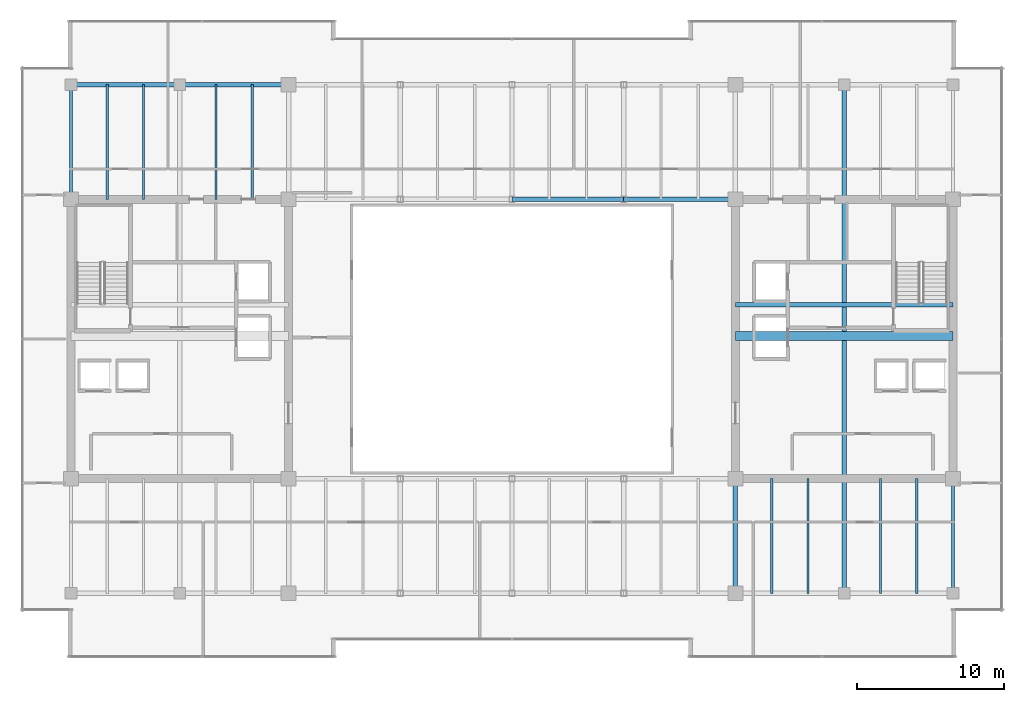
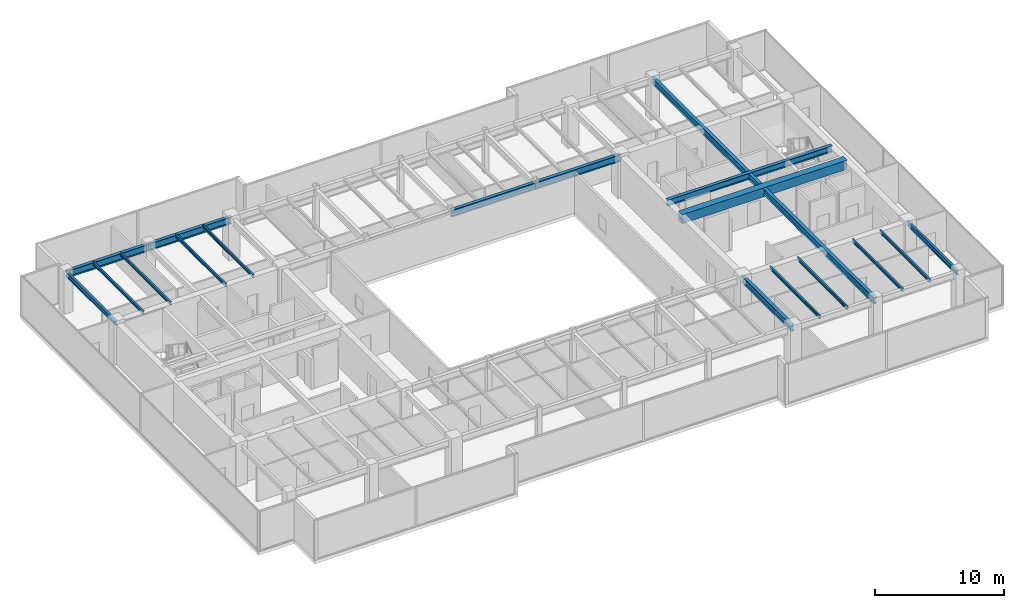
# One storey, part 14 of 33: 18 beams.
"""IFC4 building model written with IfcOpenShell, lengths in metres."""

from ifc_helpers import new_model, si_unit, direction, frame, origin, origin_2d, place, context, subcontext, project, spatial, rectangle, i_section, extrude, source, transform, mapped, material, material_profile, profile_set, type_object, type_shapes, element, save


model = new_model("IFC4")

# Units and contexts
model_context = context("Model", 3, precision=1e-05, world=origin(), true_north=direction((0.0, 1.0)))
body_context = subcontext(model_context, "Body", "Model", "MODEL_VIEW")
ifc_project = project(units=[si_unit("LENGTHUNIT", "METRE"), si_unit("AREAUNIT", "SQUARE_METRE"), si_unit("VOLUMEUNIT", "CUBIC_METRE"), si_unit("PLANEANGLEUNIT", "RADIAN"), si_unit("MASSUNIT", "GRAM", prefix="KILO")], contexts=[model_context])

# Site, building, storey
site_placement = place(None, origin())
site = spatial("IfcSite", under=ifc_project, at=site_placement, CompositionType="ELEMENT")
building_placement = place(site_placement, origin())
building = spatial("IfcBuilding", under=site, at=building_placement, Name="Haelvirn Gate Laboratories", CompositionType="ELEMENT")
storey_placement = place(building_placement, frame((0.0, 0.0, 213.699951171875)))
storey = spatial("IfcBuildingStorey", under=building, at=storey_placement, Name="L51", CompositionType="ELEMENT", Elevation=213.699951171875)

# Beams
ifc_material_1 = material(Name="Steel SM355", Category="steel")
ifc_material_profile_1 = material_profile(ifc_material_1, i_section(OverallWidth=0.300048828125, OverallDepth=0.587890625, WebThickness=0.011962890625, FlangeThickness=0.02001953125, at=origin_2d()), Name="H-588x300x12x20")
ifc_profile_set_1 = profile_set([ifc_material_profile_1], Name="Steel SM355")
beam_type_1 = type_object("IfcBeamType", Name="BM-G-588", PredefinedType="BEAM", material=ifc_profile_set_1)
shared_shape_1 = source(origin(), body_context, "Body", "SweptSolid", [
    extrude(i_section(OverallWidth=0.300048828125, OverallDepth=0.587890625, WebThickness=0.011962890625, FlangeThickness=0.02001953125, at=origin_2d()), origin(), (0.0, 0.0, 1.0), 14.7998046875),
])
beam_1_placement = place(storey_placement, frame((52.60009765625, 26.6201171875, 3.506103515625), z_axis=(1.0, 0.0, 0.0), x_axis=(0.0, 1.0, 0.0)))
element("IfcBeam", 1, at=beam_1_placement, inside=storey, type_object=beam_type_1, Name="L51 Stair ST2 Landing Header", PredefinedType="BEAM", context=body_context, shape_type="MappedRepresentation", body=[
    mapped(shared_shape_1, transform((0.0, 0.0, 0.0), scale=1.0)),
])
ifc_material_profile_2 = material_profile(ifc_material_1, i_section(OverallWidth=0.14990234375, OverallDepth=0.300048828125, WebThickness=0.006591796875, FlangeThickness=0.009033203125, at=origin_2d()), Name="H-300x150x6.5x9")
ifc_profile_set_2 = profile_set([ifc_material_profile_2], Name="Steel SM355")
beam_type_2 = type_object("IfcBeamType", Name="BM-J-300", PredefinedType="JOIST", material=ifc_profile_set_2)
shared_shape_2 = source(origin(), body_context, "Body", "SweptSolid", [
    extrude(i_section(OverallWidth=0.14990234375, OverallDepth=0.300048828125, WebThickness=0.006591796875, FlangeThickness=0.009033203125, at=origin_2d()), origin(), (0.0, 0.0, 1.0), 7.800048828125),
])
type_shapes(beam_type_2, [shared_shape_2])
for number, where, z_axis, x_axis, name in (
    (2, (9.8701171875, 33.800048828125, 3.650146484375), (0.0, 1.0, 0.0), (-1.0, 0.0, 0.0), "L51 Composite Lab Joist North X9.87"),
    (3, (12.330078125, 33.800048828125, 3.650146484375), (0.0, 1.0, 0.0), (-1.0, 0.0, 0.0), "L51 Composite Lab Joist North X12.33"),
    (4, (17.27001953125, 33.800048828125, 3.650146484375), (0.0, 1.0, 0.0), (-1.0, 0.0, 0.0), "L51 Composite Lab Joist North X17.27"),
    (5, (19.72998046875, 33.800048828125, 3.650146484375), (0.0, 1.0, 0.0), (-1.0, 0.0, 0.0), "L51 Composite Lab Joist North X19.73"),
    (6, (55.070068359375, 7.0, 3.650146484375), (0.0, 1.0, 0.0), (-1.0, 0.0, 0.0), "L51 Composite Lab Joist South X55.07"),
    (7, (57.530029296875, 7.0, 3.650146484375), (0.0, 1.0, 0.0), (-1.0, 0.0, 0.0), "L51 Composite Lab Joist South X57.53"),
    (8, (62.469970703125, 7.0, 3.650146484375), (0.0, 1.0, 0.0), (-1.0, 0.0, 0.0), "L51 Composite Lab Joist South X62.47"),
    (9, (64.929931640625, 7.0, 3.650146484375), (0.0, 1.0, 0.0), (-1.0, 0.0, 0.0), "L51 Composite Lab Joist South X64.93"),
):
    element("IfcBeam", number, at=place(storey_placement, frame(where, z_axis=z_axis, x_axis=x_axis)), inside=storey, type_object=beam_type_2, Name=name, PredefinedType="JOIST", context=body_context, shape_type="MappedRepresentation", body=[
        mapped(shared_shape_2, transform((0.0, 0.0, 0.0), scale=1.0)),
    ])
shared_shape_3 = source(origin(), body_context, "Body", "SweptSolid", [
    extrude(i_section(OverallWidth=0.300048828125, OverallDepth=0.587890625, WebThickness=0.011962890625, FlangeThickness=0.02001953125, at=origin_2d()), origin(), (0.0, 0.0, 1.0), 34.60009765625),
])
beam_2_placement = place(storey_placement, frame((60.0, 7.0, 3.506103515625), z_axis=(0.0, 1.0, 0.0), x_axis=(-1.0, 0.0, 0.0)))
element("IfcBeam", 10, at=beam_2_placement, inside=storey, type_object=beam_type_1, Name="L51 Frame Girder X60.0 (7.0-41.6)", PredefinedType="BEAM", context=body_context, shape_type="MappedRepresentation", body=[
    mapped(shared_shape_3, transform((0.0, 0.0, 0.0), scale=1.0)),
])
shared_shape_4 = source(origin(), body_context, "Body", "SweptSolid", [
    extrude(i_section(OverallWidth=0.300048828125, OverallDepth=0.587890625, WebThickness=0.011962890625, FlangeThickness=0.02001953125, at=origin_2d()), origin(), (0.0, 0.0, 1.0), 7.800048828125),
])
type_shapes(beam_type_1, [shared_shape_1, shared_shape_3, shared_shape_4])
beam_3_placement = place(storey_placement, frame((52.60009765625, 7.0, 3.506103515625), z_axis=(0.0, 1.0, 0.0), x_axis=(-1.0, 0.0, 0.0)))
element("IfcBeam", 11, at=beam_3_placement, inside=storey, type_object=beam_type_1, Name="L51 Frame Girder X52.6 (7.0-14.8)", PredefinedType="BEAM", context=body_context, shape_type="MappedRepresentation", body=[
    mapped(shared_shape_4, transform((0.0, 0.0, 0.0), scale=1.0)),
])
ifc_material_2 = material(Name="Concrete C50/60", Category="concrete")
ifc_material_profile_3 = material_profile(ifc_material_2, rectangle(XDim=0.60009765625, YDim=0.85009765625, at=origin_2d()), Name="RCB-600x850")
ifc_profile_set_3 = profile_set([ifc_material_profile_3], Name="Concrete C50/60")
beam_type_3 = type_object("IfcBeamType", Name="BM-RCB-850", PredefinedType="LINTEL", material=ifc_profile_set_3)
shared_shape_5 = source(origin(), body_context, "Body", "SweptSolid", [
    extrude(rectangle(XDim=0.60009765625, YDim=0.85009765625, at=origin_2d()), origin(), (0.0, 0.0, 1.0), 14.7998046875),
])
type_shapes(beam_type_3, [shared_shape_5])
beam_4_placement = place(storey_placement, frame((52.60009765625, 24.5, 3.375), z_axis=(1.0, 0.0, 0.0), x_axis=(0.0, 1.0, 0.0)))
element("IfcBeam", 12, at=beam_4_placement, inside=storey, type_object=beam_type_3, Name="L51 East Core Coupling Beam", PredefinedType="LINTEL", context=body_context, shape_type="MappedRepresentation", body=[
    mapped(shared_shape_5, transform((0.0, 0.0, 0.0), scale=1.0)),
])
ifc_material_profile_4 = material_profile(ifc_material_1, i_section(OverallWidth=0.300048828125, OverallDepth=0.64990234375, WebThickness=0.012939453125, FlangeThickness=0.02197265625, at=origin_2d()), Name="H-650x300x13x22")
ifc_profile_set_4 = profile_set([ifc_material_profile_4], Name="Steel SM355")
beam_type_4 = type_object("IfcBeamType", Name="BM-G-650", PredefinedType="BEAM", material=ifc_profile_set_4)
shared_shape_6 = source(origin(), body_context, "Body", "SweptSolid", [
    extrude(i_section(OverallWidth=0.300048828125, OverallDepth=0.64990234375, WebThickness=0.012939453125, FlangeThickness=0.02197265625, at=origin_2d()), origin(), (0.0, 0.0, 1.0), 7.400146484375),
])
beam_5_placement = place(storey_placement, frame((7.39990234375, 41.60009765625, 3.47509765625), z_axis=(1.0, 0.0, 0.0), x_axis=(0.0, 1.0, 0.0)))
element("IfcBeam", 13, at=beam_5_placement, inside=storey, type_object=beam_type_4, Name="L51 Primary Girder Y41.6 (7.4-14.8)", PredefinedType="BEAM", context=body_context, shape_type="MappedRepresentation", body=[
    mapped(shared_shape_6, transform((0.0, 0.0, 0.0), scale=1.0)),
])
shared_shape_7 = source(origin(), body_context, "Body", "SweptSolid", [
    extrude(i_section(OverallWidth=0.300048828125, OverallDepth=0.64990234375, WebThickness=0.012939453125, FlangeThickness=0.02197265625, at=origin_2d()), origin(), (0.0, 0.0, 1.0), 7.39990234375),
])
beam_6_placement = place(storey_placement, frame((14.800048828125, 41.60009765625, 3.47509765625), z_axis=(1.0, 0.0, 0.0), x_axis=(0.0, 1.0, 0.0)))
element("IfcBeam", 14, at=beam_6_placement, inside=storey, type_object=beam_type_4, Name="L51 Primary Girder Y41.6 (14.8-22.2)", PredefinedType="BEAM", context=body_context, shape_type="MappedRepresentation", body=[
    mapped(shared_shape_7, transform((0.0, 0.0, 0.0), scale=1.0)),
])
shared_shape_8 = source(origin(), body_context, "Body", "SweptSolid", [
    extrude(i_section(OverallWidth=0.300048828125, OverallDepth=0.64990234375, WebThickness=0.012939453125, FlangeThickness=0.02197265625, at=origin_2d()), origin(), (0.0, 0.0, 1.0), 7.60009765625),
])
type_shapes(beam_type_4, [shared_shape_6, shared_shape_7, shared_shape_8])
for number, where, z_axis, x_axis, name in (
    (15, (37.39990234375, 33.800048828125, 3.47509765625), (1.0, 0.0, 0.0), (0.0, 1.0, 0.0), "L51 Primary Girder Y33.8 (37.4-45.0)"),
    (16, (45.0, 33.800048828125, 3.47509765625), (1.0, 0.0, 0.0), (0.0, 1.0, 0.0), "L51 Primary Girder Y33.8 (45.0-52.6)"),
):
    element("IfcBeam", number, at=place(storey_placement, frame(where, z_axis=z_axis, x_axis=x_axis)), inside=storey, type_object=beam_type_4, Name=name, PredefinedType="BEAM", context=body_context, shape_type="MappedRepresentation", body=[
        mapped(shared_shape_8, transform((0.0, 0.0, 0.0), scale=1.0)),
    ])
ifc_material_profile_5 = material_profile(ifc_material_1, i_section(OverallWidth=0.199951171875, OverallDepth=0.449951171875, WebThickness=0.009033203125, FlangeThickness=0.013916015625, at=origin_2d()), Name="H-450x200x9x14")
ifc_profile_set_5 = profile_set([ifc_material_profile_5], Name="Steel SM355")
beam_type_5 = type_object("IfcBeamType", Name="BM-SP-450", PredefinedType="SPANDREL", material=ifc_profile_set_5)
shared_shape_9 = source(origin(), body_context, "Body", "SweptSolid", [
    extrude(i_section(OverallWidth=0.199951171875, OverallDepth=0.449951171875, WebThickness=0.009033203125, FlangeThickness=0.013916015625, at=origin_2d()), origin(), (0.0, 0.0, 1.0), 7.800048828125),
])
type_shapes(beam_type_5, [shared_shape_9])
for number, where, z_axis, x_axis, name in (
    (17, (7.39990234375, 33.800048828125, 3.574951171875), (0.0, 1.0, 0.0), (-1.0, 0.0, 0.0), "L51 Perimeter Spandrel X7.4 (33.8-41.6)"),
    (18, (67.39990234375, 7.0, 3.574951171875), (0.0, 1.0, 0.0), (-1.0, 0.0, 0.0), "L51 Perimeter Spandrel X67.4 (7.0-14.8)"),
):
    element("IfcBeam", number, at=place(storey_placement, frame(where, z_axis=z_axis, x_axis=x_axis)), inside=storey, type_object=beam_type_5, Name=name, PredefinedType="SPANDREL", context=body_context, shape_type="MappedRepresentation", body=[
        mapped(shared_shape_9, transform((0.0, 0.0, 0.0), scale=1.0)),
    ])

save(model, "model.ifc")
